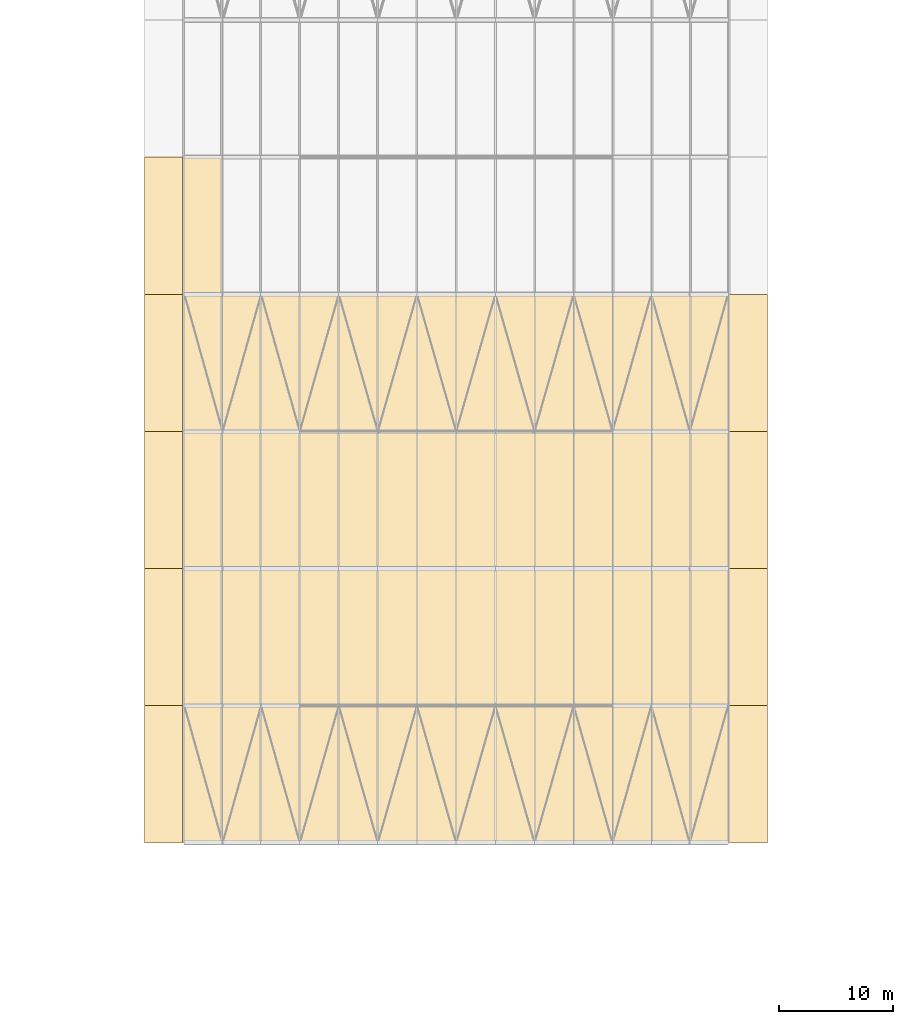
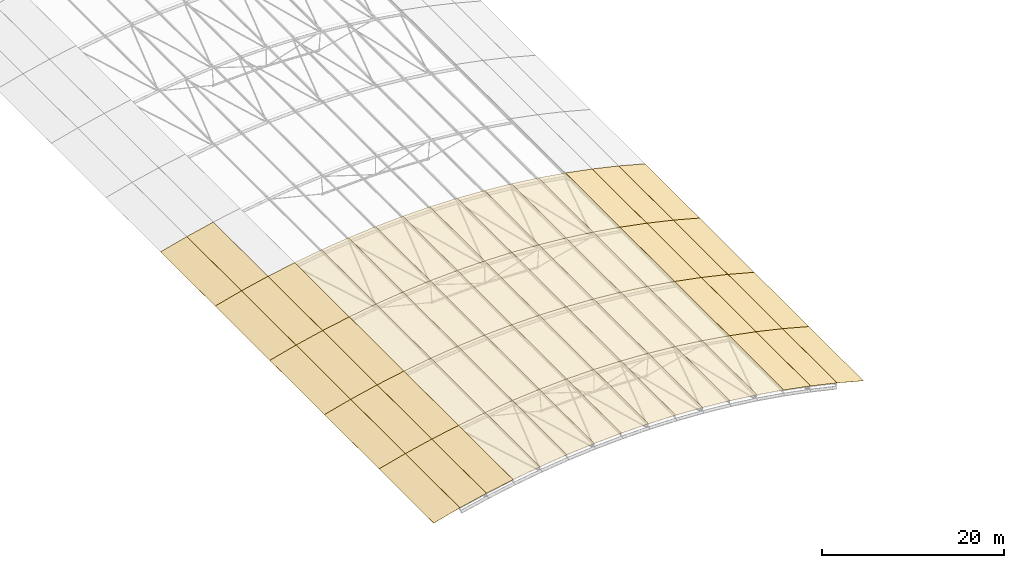
# One storey, part 86 of 91: 66 coverings.
"""IFC4 building model written with IfcOpenShell, lengths in metres."""

from ifc_helpers import new_model, si_unit, direction, frame, origin, place, context, subcontext, project, spatial, polyline, outline, extrude, material, layer, layer_set, type_object, element, save


model = new_model("IFC4")

# Units and contexts
model_context = context("Model", 3, precision=1e-05, world=origin(), true_north=direction((0.0, 1.0)))
body_context = subcontext(model_context, "Body", "Model", "MODEL_VIEW")
ifc_project = project(units=[si_unit("LENGTHUNIT", "METRE"), si_unit("AREAUNIT", "SQUARE_METRE"), si_unit("VOLUMEUNIT", "CUBIC_METRE"), si_unit("PLANEANGLEUNIT", "RADIAN"), si_unit("MASSUNIT", "GRAM", prefix="KILO")], contexts=[model_context])

# Site, building, storey
site_placement = place(None, origin())
site = spatial("IfcSite", under=ifc_project, at=site_placement, CompositionType="ELEMENT")
building_placement = place(site_placement, origin())
building = spatial("IfcBuilding", under=site, at=building_placement, Name="Ravi Spectrum Wholesale Market", CompositionType="ELEMENT")
storey_placement = place(building_placement, frame((0.0, 0.0, 16.199951171875)))
storey = spatial("IfcBuildingStorey", under=building, at=storey_placement, Name="ROOF PLANT LEVEL", CompositionType="ELEMENT", Elevation=16.199951171875)

# Coverings
ifc_material = material(Name="Roofing membrane")
ifc_layer = layer(ifc_material, 0.008056640625)
ifc_layer_set = layer_set([ifc_layer], Name="Roofing membrane")
covering_type = type_object("IfcCoveringType", Name="Roofing membrane 8", PredefinedType="ROOFING", material=ifc_layer_set)
covering_1_placement = place(storey_placement, frame((42.741455078125, 30.0, -0.18408203125), z_axis=(-0.255845834828, 0.0, 0.966717595165), x_axis=(0.966717595165, 0.0, 0.255845834828)))
element("IfcCovering", 1, at=covering_1_placement, inside=storey, type_object=covering_type, Name="H1-CV-ROOF-001", PredefinedType="ROOFING", context=body_context, shape_type="SweptSolid", body=[
    extrude(outline(polyline([(0.0, 0.0), (3.4467472886248953, 0.0), (3.4467472886248953, 12.0), (0.0, 12.0), (0.0, 0.0)])), origin(), (0.0, 0.0, -1.0), 0.008056640625),
])
covering_2_placement = place(storey_placement, frame((46.07763671875, 30.0, 0.698974609375), z_axis=(-0.222349705354, 0.0, 0.974966978174), x_axis=(0.974966978174, 0.0, 0.222349705354)))
element("IfcCovering", 2, at=covering_2_placement, inside=storey, type_object=covering_type, Name="H1-CV-ROOF-002", PredefinedType="ROOFING", context=body_context, shape_type="SweptSolid", body=[
    extrude(outline(polyline([(0.0, 0.0), (3.4466311554413664, 0.0), (3.4466311554413664, 12.0), (0.0, 12.0), (0.0, 0.0)])), origin(), (0.0, 0.0, -1.0), 0.008056640625),
])
covering_3_placement = place(storey_placement, frame((49.4423828125, 30.0, 1.46630859375), z_axis=(-0.188563640263, 0.0, 0.98206097243), x_axis=(0.98206097243, 0.0, 0.188563640263)))
element("IfcCovering", 3, at=covering_3_placement, inside=storey, type_object=covering_type, Name="H1-CV-ROOF-003", PredefinedType="ROOFING", context=body_context, shape_type="SweptSolid", body=[
    extrude(outline(polyline([(0.0, 0.0), (3.446594172889141, 0.0), (3.446594172889141, 12.0), (0.0, 12.0), (0.0, 0.0)])), origin(), (0.0, 0.0, -1.0), 0.008056640625),
])
covering_4_placement = place(storey_placement, frame((52.83154296875, 30.0, 2.116943359375), z_axis=(-0.154638345742, 0.0, 0.987971144329), x_axis=(0.987971144329, 0.0, 0.154638345742)))
element("IfcCovering", 4, at=covering_4_placement, inside=storey, type_object=covering_type, Name="H1-CV-ROOF-004", PredefinedType="ROOFING", context=body_context, shape_type="SweptSolid", body=[
    extrude(outline(polyline([(0.0, 0.0), (3.446486586598458, 0.0), (3.446486586598458, 12.000000000000004), (0.0, 12.000000000000004), (0.0, 0.0)])), origin(), (0.0, 0.0, -1.0), 0.008056640625),
])
covering_5_placement = place(storey_placement, frame((56.240966796875, 30.0, 2.650634765625), z_axis=(-0.120415981986, 0.0, 0.992723522076), x_axis=(0.992723522076, 0.0, 0.120415981986)))
element("IfcCovering", 5, at=covering_5_placement, inside=storey, type_object=covering_type, Name="H1-CV-ROOF-005", PredefinedType="ROOFING", context=body_context, shape_type="SweptSolid", body=[
    extrude(outline(polyline([(0.0, 0.0), (3.446710774235079, 0.0), (3.446710774235079, 12.0), (0.0, 12.0), (0.0, 0.0)])), origin(), (0.0, 0.0, -1.0), 0.008056640625),
])
covering_6_placement = place(storey_placement, frame((59.6669921875, 30.0, 3.066162109375), z_axis=(-0.086134430501, 0.0, 0.996283523844), x_axis=(0.996283523844, 0.0, 0.086134430501)))
element("IfcCovering", 6, at=covering_6_placement, inside=storey, type_object=covering_type, Name="H1-CV-ROOF-006", PredefinedType="ROOFING", context=body_context, shape_type="SweptSolid", body=[
    extrude(outline(polyline([(0.0, 0.0), (3.4466472730346154, 0.0), (3.4466472730346154, 12.000000000000004), (0.0, 12.000000000000004), (0.0, 0.0)])), origin(), (0.0, 0.0, -1.0), 0.008056640625),
])
covering_7_placement = place(storey_placement, frame((63.105224609375, 30.0, 3.36328125), z_axis=(-0.051778101083, 0.0, 0.998658614467), x_axis=(0.998658614467, 0.0, 0.051778101083)))
element("IfcCovering", 7, at=covering_7_placement, inside=storey, type_object=covering_type, Name="H1-CV-ROOF-007", PredefinedType="ROOFING", context=body_context, shape_type="SweptSolid", body=[
    extrude(outline(polyline([(0.0, 0.0), (3.4467621087049527, 0.0), (3.4467621087049527, 11.999999999999998), (0.0, 11.999999999999998), (0.0, 0.0)])), origin(), (0.0, 0.0, -1.0), 0.008056640625),
])
for number, where, z_axis, x_axis, name in (
    (8, (66.5517578125, 30.0, 3.541748046875), (-0.017283992309, 0.0, 0.999850620648), (0.999850620648, 0.0, 0.017283992309), "H1-CV-ROOF-008"),
    (9, (70.002197265625, 30.0, 3.601318359375), (0.017283992309, 0.0, 0.999850620648), (0.999850620648, 0.0, -0.017283992309), "H1-CV-ROOF-009"),
):
    element("IfcCovering", number, at=place(storey_placement, frame(where, z_axis=z_axis, x_axis=x_axis)), inside=storey, type_object=covering_type, Name=name, PredefinedType="ROOFING", context=body_context, shape_type="SweptSolid", body=[
        extrude(outline(polyline([(0.0, 0.0), (3.4465597667401364, 0.0), (3.4465597667401364, 12.0), (0.0, 12.0), (0.0, 0.0)])), origin(), (0.0, 0.0, -1.0), 0.008056640625),
    ])
covering_8_placement = place(storey_placement, frame((73.45263671875, 30.0, 3.541748046875), z_axis=(0.051778101083, 0.0, 0.998658614467), x_axis=(0.998658614467, 0.0, -0.051778101083)))
element("IfcCovering", 10, at=covering_8_placement, inside=storey, type_object=covering_type, Name="H1-CV-ROOF-010", PredefinedType="ROOFING", context=body_context, shape_type="SweptSolid", body=[
    extrude(outline(polyline([(0.0, 0.0), (3.4467621087049527, 0.0), (3.4467621087049527, 11.999999999999998), (0.0, 11.999999999999998), (0.0, 0.0)])), origin(), (0.0, 0.0, -1.0), 0.008056640625),
])
covering_9_placement = place(storey_placement, frame((76.899169921875, 30.0, 3.363037109375), z_axis=(0.086134430501, 0.0, 0.996283523844), x_axis=(0.996283523844, 0.0, -0.086134430501)))
element("IfcCovering", 11, at=covering_9_placement, inside=storey, type_object=covering_type, Name="H1-CV-ROOF-011", PredefinedType="ROOFING", context=body_context, shape_type="SweptSolid", body=[
    extrude(outline(polyline([(0.0, 0.0), (3.4466472730346154, 0.0), (3.4466472730346154, 12.000000000000004), (0.0, 12.000000000000004), (0.0, 0.0)])), origin(), (0.0, 0.0, -1.0), 0.008056640625),
])
covering_10_placement = place(storey_placement, frame((80.33740234375, 30.0, 3.065673828125), z_axis=(0.120415981986, 0.0, 0.992723522076), x_axis=(0.992723522076, 0.0, -0.120415981986)))
element("IfcCovering", 12, at=covering_10_placement, inside=storey, type_object=covering_type, Name="H1-CV-ROOF-012", PredefinedType="ROOFING", context=body_context, shape_type="SweptSolid", body=[
    extrude(outline(polyline([(0.0, 0.0), (3.446710774235079, 0.0), (3.446710774235079, 12.0), (0.0, 12.0), (0.0, 0.0)])), origin(), (0.0, 0.0, -1.0), 0.008056640625),
])
covering_11_placement = place(storey_placement, frame((83.763427734375, 30.0, 2.64990234375), z_axis=(0.154638345742, 0.0, 0.987971144329), x_axis=(0.987971144329, 0.0, -0.154638345742)))
element("IfcCovering", 13, at=covering_11_placement, inside=storey, type_object=covering_type, Name="H1-CV-ROOF-013", PredefinedType="ROOFING", context=body_context, shape_type="SweptSolid", body=[
    extrude(outline(polyline([(0.0, 0.0), (3.446486586598458, 0.0), (3.446486586598458, 12.000000000000004), (0.0, 12.000000000000004), (0.0, 0.0)])), origin(), (0.0, 0.0, -1.0), 0.008056640625),
])
covering_12_placement = place(storey_placement, frame((87.1728515625, 30.0, 2.1162109375), z_axis=(0.188563640263, 0.0, 0.98206097243), x_axis=(0.98206097243, 0.0, -0.188563640263)))
element("IfcCovering", 14, at=covering_12_placement, inside=storey, type_object=covering_type, Name="H1-CV-ROOF-014", PredefinedType="ROOFING", context=body_context, shape_type="SweptSolid", body=[
    extrude(outline(polyline([(0.0, 0.0), (3.446594172889141, 0.0), (3.446594172889141, 12.0), (0.0, 12.0), (0.0, 0.0)])), origin(), (0.0, 0.0, -1.0), 0.008056640625),
])
covering_13_placement = place(storey_placement, frame((90.56201171875, 30.0, 1.46533203125), z_axis=(0.222349705354, 0.0, 0.974966978174), x_axis=(0.974966978174, 0.0, -0.222349705354)))
element("IfcCovering", 15, at=covering_13_placement, inside=storey, type_object=covering_type, Name="H1-CV-ROOF-015", PredefinedType="ROOFING", context=body_context, shape_type="SweptSolid", body=[
    extrude(outline(polyline([(0.0, 0.0), (3.4466311554413664, 0.0), (3.4466311554413664, 12.0), (0.0, 12.0), (0.0, 0.0)])), origin(), (0.0, 0.0, -1.0), 0.008056640625),
])
for number, where, z_axis, x_axis, name in (
    (16, (93.926513671875, 30.0, 0.69775390625), (0.255845834828, 0.0, 0.966717595165), (0.966717595165, 0.0, -0.255845834828), "H1-CV-ROOF-016"),
    (17, (42.741455078125, 42.0, -0.18408203125), (-0.255845834828, 0.0, 0.966717595165), (0.966717595165, 0.0, 0.255845834828), "H1-CV-ROOF-017"),
):
    element("IfcCovering", number, at=place(storey_placement, frame(where, z_axis=z_axis, x_axis=x_axis)), inside=storey, type_object=covering_type, Name=name, PredefinedType="ROOFING", context=body_context, shape_type="SweptSolid", body=[
        extrude(outline(polyline([(0.0, 0.0), (3.4467472886248953, 0.0), (3.4467472886248953, 12.0), (0.0, 12.0), (0.0, 0.0)])), origin(), (0.0, 0.0, -1.0), 0.008056640625),
    ])
covering_14_placement = place(storey_placement, frame((46.07763671875, 42.0, 0.698974609375), z_axis=(-0.222349705354, 0.0, 0.974966978174), x_axis=(0.974966978174, 0.0, 0.222349705354)))
element("IfcCovering", 18, at=covering_14_placement, inside=storey, type_object=covering_type, Name="H1-CV-ROOF-018", PredefinedType="ROOFING", context=body_context, shape_type="SweptSolid", body=[
    extrude(outline(polyline([(0.0, 0.0), (3.4466311554413664, 0.0), (3.4466311554413664, 12.0), (0.0, 12.0), (0.0, 0.0)])), origin(), (0.0, 0.0, -1.0), 0.008056640625),
])
covering_15_placement = place(storey_placement, frame((49.4423828125, 42.0, 1.46630859375), z_axis=(-0.188563640263, 0.0, 0.98206097243), x_axis=(0.98206097243, 0.0, 0.188563640263)))
element("IfcCovering", 19, at=covering_15_placement, inside=storey, type_object=covering_type, Name="H1-CV-ROOF-019", PredefinedType="ROOFING", context=body_context, shape_type="SweptSolid", body=[
    extrude(outline(polyline([(0.0, 0.0), (3.446594172889141, 0.0), (3.446594172889141, 12.0), (0.0, 12.0), (0.0, 0.0)])), origin(), (0.0, 0.0, -1.0), 0.008056640625),
])
covering_16_placement = place(storey_placement, frame((52.83154296875, 42.0, 2.116943359375), z_axis=(-0.154638345742, 0.0, 0.987971144329), x_axis=(0.987971144329, 0.0, 0.154638345742)))
element("IfcCovering", 20, at=covering_16_placement, inside=storey, type_object=covering_type, Name="H1-CV-ROOF-020", PredefinedType="ROOFING", context=body_context, shape_type="SweptSolid", body=[
    extrude(outline(polyline([(0.0, 0.0), (3.446486586598458, 0.0), (3.446486586598458, 12.000000000000004), (0.0, 12.000000000000004), (0.0, 0.0)])), origin(), (0.0, 0.0, -1.0), 0.008056640625),
])
covering_17_placement = place(storey_placement, frame((56.240966796875, 42.0, 2.650634765625), z_axis=(-0.120415981986, 0.0, 0.992723522076), x_axis=(0.992723522076, 0.0, 0.120415981986)))
element("IfcCovering", 21, at=covering_17_placement, inside=storey, type_object=covering_type, Name="H1-CV-ROOF-021", PredefinedType="ROOFING", context=body_context, shape_type="SweptSolid", body=[
    extrude(outline(polyline([(0.0, 0.0), (3.446710774235079, 0.0), (3.446710774235079, 12.0), (0.0, 12.0), (0.0, 0.0)])), origin(), (0.0, 0.0, -1.0), 0.008056640625),
])
covering_18_placement = place(storey_placement, frame((59.6669921875, 42.0, 3.066162109375), z_axis=(-0.086134430501, 0.0, 0.996283523844), x_axis=(0.996283523844, 0.0, 0.086134430501)))
element("IfcCovering", 22, at=covering_18_placement, inside=storey, type_object=covering_type, Name="H1-CV-ROOF-022", PredefinedType="ROOFING", context=body_context, shape_type="SweptSolid", body=[
    extrude(outline(polyline([(0.0, 0.0), (3.4466472730346154, 0.0), (3.4466472730346154, 12.000000000000004), (0.0, 12.000000000000004), (0.0, 0.0)])), origin(), (0.0, 0.0, -1.0), 0.008056640625),
])
covering_19_placement = place(storey_placement, frame((63.105224609375, 42.0, 3.36328125), z_axis=(-0.051778101083, 0.0, 0.998658614467), x_axis=(0.998658614467, 0.0, 0.051778101083)))
element("IfcCovering", 23, at=covering_19_placement, inside=storey, type_object=covering_type, Name="H1-CV-ROOF-023", PredefinedType="ROOFING", context=body_context, shape_type="SweptSolid", body=[
    extrude(outline(polyline([(0.0, 0.0), (3.4467621087049527, 0.0), (3.4467621087049527, 11.999999999999998), (0.0, 11.999999999999998), (0.0, 0.0)])), origin(), (0.0, 0.0, -1.0), 0.008056640625),
])
for number, where, z_axis, x_axis, name in (
    (24, (66.5517578125, 42.0, 3.541748046875), (-0.017283992309, 0.0, 0.999850620648), (0.999850620648, 0.0, 0.017283992309), "H1-CV-ROOF-024"),
    (25, (70.002197265625, 42.0, 3.601318359375), (0.017283992309, 0.0, 0.999850620648), (0.999850620648, 0.0, -0.017283992309), "H1-CV-ROOF-025"),
):
    element("IfcCovering", number, at=place(storey_placement, frame(where, z_axis=z_axis, x_axis=x_axis)), inside=storey, type_object=covering_type, Name=name, PredefinedType="ROOFING", context=body_context, shape_type="SweptSolid", body=[
        extrude(outline(polyline([(0.0, 0.0), (3.4465597667401364, 0.0), (3.4465597667401364, 12.0), (0.0, 12.0), (0.0, 0.0)])), origin(), (0.0, 0.0, -1.0), 0.008056640625),
    ])
covering_20_placement = place(storey_placement, frame((73.45263671875, 42.0, 3.541748046875), z_axis=(0.051778101083, 0.0, 0.998658614467), x_axis=(0.998658614467, 0.0, -0.051778101083)))
element("IfcCovering", 26, at=covering_20_placement, inside=storey, type_object=covering_type, Name="H1-CV-ROOF-026", PredefinedType="ROOFING", context=body_context, shape_type="SweptSolid", body=[
    extrude(outline(polyline([(0.0, 0.0), (3.4467621087049527, 0.0), (3.4467621087049527, 11.999999999999998), (0.0, 11.999999999999998), (0.0, 0.0)])), origin(), (0.0, 0.0, -1.0), 0.008056640625),
])
covering_21_placement = place(storey_placement, frame((76.899169921875, 42.0, 3.363037109375), z_axis=(0.086134430501, 0.0, 0.996283523844), x_axis=(0.996283523844, 0.0, -0.086134430501)))
element("IfcCovering", 27, at=covering_21_placement, inside=storey, type_object=covering_type, Name="H1-CV-ROOF-027", PredefinedType="ROOFING", context=body_context, shape_type="SweptSolid", body=[
    extrude(outline(polyline([(0.0, 0.0), (3.4466472730346154, 0.0), (3.4466472730346154, 12.000000000000004), (0.0, 12.000000000000004), (0.0, 0.0)])), origin(), (0.0, 0.0, -1.0), 0.008056640625),
])
covering_22_placement = place(storey_placement, frame((80.33740234375, 42.0, 3.065673828125), z_axis=(0.120415981986, 0.0, 0.992723522076), x_axis=(0.992723522076, 0.0, -0.120415981986)))
element("IfcCovering", 28, at=covering_22_placement, inside=storey, type_object=covering_type, Name="H1-CV-ROOF-028", PredefinedType="ROOFING", context=body_context, shape_type="SweptSolid", body=[
    extrude(outline(polyline([(0.0, 0.0), (3.446710774235079, 0.0), (3.446710774235079, 12.0), (0.0, 12.0), (0.0, 0.0)])), origin(), (0.0, 0.0, -1.0), 0.008056640625),
])
covering_23_placement = place(storey_placement, frame((83.763427734375, 42.0, 2.64990234375), z_axis=(0.154638345742, 0.0, 0.987971144329), x_axis=(0.987971144329, 0.0, -0.154638345742)))
element("IfcCovering", 29, at=covering_23_placement, inside=storey, type_object=covering_type, Name="H1-CV-ROOF-029", PredefinedType="ROOFING", context=body_context, shape_type="SweptSolid", body=[
    extrude(outline(polyline([(0.0, 0.0), (3.446486586598458, 0.0), (3.446486586598458, 12.000000000000004), (0.0, 12.000000000000004), (0.0, 0.0)])), origin(), (0.0, 0.0, -1.0), 0.008056640625),
])
covering_24_placement = place(storey_placement, frame((87.1728515625, 42.0, 2.1162109375), z_axis=(0.188563640263, 0.0, 0.98206097243), x_axis=(0.98206097243, 0.0, -0.188563640263)))
element("IfcCovering", 30, at=covering_24_placement, inside=storey, type_object=covering_type, Name="H1-CV-ROOF-030", PredefinedType="ROOFING", context=body_context, shape_type="SweptSolid", body=[
    extrude(outline(polyline([(0.0, 0.0), (3.446594172889141, 0.0), (3.446594172889141, 12.0), (0.0, 12.0), (0.0, 0.0)])), origin(), (0.0, 0.0, -1.0), 0.008056640625),
])
covering_25_placement = place(storey_placement, frame((90.56201171875, 42.0, 1.46533203125), z_axis=(0.222349705354, 0.0, 0.974966978174), x_axis=(0.974966978174, 0.0, -0.222349705354)))
element("IfcCovering", 31, at=covering_25_placement, inside=storey, type_object=covering_type, Name="H1-CV-ROOF-031", PredefinedType="ROOFING", context=body_context, shape_type="SweptSolid", body=[
    extrude(outline(polyline([(0.0, 0.0), (3.4466311554413664, 0.0), (3.4466311554413664, 12.0), (0.0, 12.0), (0.0, 0.0)])), origin(), (0.0, 0.0, -1.0), 0.008056640625),
])
for number, where, z_axis, x_axis, name in (
    (32, (93.926513671875, 42.0, 0.69775390625), (0.255845834828, 0.0, 0.966717595165), (0.966717595165, 0.0, -0.255845834828), "H1-CV-ROOF-032"),
    (33, (42.741455078125, 54.0, -0.18408203125), (-0.255845834828, 0.0, 0.966717595165), (0.966717595165, 0.0, 0.255845834828), "H1-CV-ROOF-033"),
):
    element("IfcCovering", number, at=place(storey_placement, frame(where, z_axis=z_axis, x_axis=x_axis)), inside=storey, type_object=covering_type, Name=name, PredefinedType="ROOFING", context=body_context, shape_type="SweptSolid", body=[
        extrude(outline(polyline([(0.0, 0.0), (3.4467472886248953, 0.0), (3.4467472886248953, 12.0), (0.0, 12.0), (0.0, 0.0)])), origin(), (0.0, 0.0, -1.0), 0.008056640625),
    ])
covering_26_placement = place(storey_placement, frame((46.07763671875, 54.0, 0.698974609375), z_axis=(-0.222349705354, 0.0, 0.974966978174), x_axis=(0.974966978174, 0.0, 0.222349705354)))
element("IfcCovering", 34, at=covering_26_placement, inside=storey, type_object=covering_type, Name="H1-CV-ROOF-034", PredefinedType="ROOFING", context=body_context, shape_type="SweptSolid", body=[
    extrude(outline(polyline([(0.0, 0.0), (3.4466311554413664, 0.0), (3.4466311554413664, 12.0), (0.0, 12.0), (0.0, 0.0)])), origin(), (0.0, 0.0, -1.0), 0.008056640625),
])
covering_27_placement = place(storey_placement, frame((49.4423828125, 54.0, 1.46630859375), z_axis=(-0.188563640263, 0.0, 0.98206097243), x_axis=(0.98206097243, 0.0, 0.188563640263)))
element("IfcCovering", 35, at=covering_27_placement, inside=storey, type_object=covering_type, Name="H1-CV-ROOF-035", PredefinedType="ROOFING", context=body_context, shape_type="SweptSolid", body=[
    extrude(outline(polyline([(0.0, 0.0), (3.446594172889141, 0.0), (3.446594172889141, 12.0), (0.0, 12.0), (0.0, 0.0)])), origin(), (0.0, 0.0, -1.0), 0.008056640625),
])
covering_28_placement = place(storey_placement, frame((52.83154296875, 54.0, 2.116943359375), z_axis=(-0.154638345742, 0.0, 0.987971144329), x_axis=(0.987971144329, 0.0, 0.154638345742)))
element("IfcCovering", 36, at=covering_28_placement, inside=storey, type_object=covering_type, Name="H1-CV-ROOF-036", PredefinedType="ROOFING", context=body_context, shape_type="SweptSolid", body=[
    extrude(outline(polyline([(0.0, 0.0), (3.446486586598458, 0.0), (3.446486586598458, 12.000000000000004), (0.0, 12.000000000000004), (0.0, 0.0)])), origin(), (0.0, 0.0, -1.0), 0.008056640625),
])
covering_29_placement = place(storey_placement, frame((56.240966796875, 54.0, 2.650634765625), z_axis=(-0.120415981986, 0.0, 0.992723522076), x_axis=(0.992723522076, 0.0, 0.120415981986)))
element("IfcCovering", 37, at=covering_29_placement, inside=storey, type_object=covering_type, Name="H1-CV-ROOF-037", PredefinedType="ROOFING", context=body_context, shape_type="SweptSolid", body=[
    extrude(outline(polyline([(0.0, 0.0), (3.446710774235079, 0.0), (3.446710774235079, 12.0), (0.0, 12.0), (0.0, 0.0)])), origin(), (0.0, 0.0, -1.0), 0.008056640625),
])
covering_30_placement = place(storey_placement, frame((59.6669921875, 54.0, 3.066162109375), z_axis=(-0.086134430501, 0.0, 0.996283523844), x_axis=(0.996283523844, 0.0, 0.086134430501)))
element("IfcCovering", 38, at=covering_30_placement, inside=storey, type_object=covering_type, Name="H1-CV-ROOF-038", PredefinedType="ROOFING", context=body_context, shape_type="SweptSolid", body=[
    extrude(outline(polyline([(0.0, 0.0), (3.4466472730346154, 0.0), (3.4466472730346154, 12.000000000000004), (0.0, 12.000000000000004), (0.0, 0.0)])), origin(), (0.0, 0.0, -1.0), 0.008056640625),
])
covering_31_placement = place(storey_placement, frame((63.105224609375, 54.0, 3.36328125), z_axis=(-0.051778101083, 0.0, 0.998658614467), x_axis=(0.998658614467, 0.0, 0.051778101083)))
element("IfcCovering", 39, at=covering_31_placement, inside=storey, type_object=covering_type, Name="H1-CV-ROOF-039", PredefinedType="ROOFING", context=body_context, shape_type="SweptSolid", body=[
    extrude(outline(polyline([(0.0, 0.0), (3.4467621087049527, 0.0), (3.4467621087049527, 11.999999999999998), (0.0, 11.999999999999998), (0.0, 0.0)])), origin(), (0.0, 0.0, -1.0), 0.008056640625),
])
for number, where, z_axis, x_axis, name in (
    (40, (66.5517578125, 54.0, 3.541748046875), (-0.017283992309, 0.0, 0.999850620648), (0.999850620648, 0.0, 0.017283992309), "H1-CV-ROOF-040"),
    (41, (70.002197265625, 54.0, 3.601318359375), (0.017283992309, 0.0, 0.999850620648), (0.999850620648, 0.0, -0.017283992309), "H1-CV-ROOF-041"),
):
    element("IfcCovering", number, at=place(storey_placement, frame(where, z_axis=z_axis, x_axis=x_axis)), inside=storey, type_object=covering_type, Name=name, PredefinedType="ROOFING", context=body_context, shape_type="SweptSolid", body=[
        extrude(outline(polyline([(0.0, 0.0), (3.4465597667401364, 0.0), (3.4465597667401364, 12.0), (0.0, 12.0), (0.0, 0.0)])), origin(), (0.0, 0.0, -1.0), 0.008056640625),
    ])
covering_32_placement = place(storey_placement, frame((73.45263671875, 54.0, 3.541748046875), z_axis=(0.051778101083, 0.0, 0.998658614467), x_axis=(0.998658614467, 0.0, -0.051778101083)))
element("IfcCovering", 42, at=covering_32_placement, inside=storey, type_object=covering_type, Name="H1-CV-ROOF-042", PredefinedType="ROOFING", context=body_context, shape_type="SweptSolid", body=[
    extrude(outline(polyline([(0.0, 0.0), (3.4467621087049527, 0.0), (3.4467621087049527, 11.999999999999998), (0.0, 11.999999999999998), (0.0, 0.0)])), origin(), (0.0, 0.0, -1.0), 0.008056640625),
])
covering_33_placement = place(storey_placement, frame((76.899169921875, 54.0, 3.363037109375), z_axis=(0.086134430501, 0.0, 0.996283523844), x_axis=(0.996283523844, 0.0, -0.086134430501)))
element("IfcCovering", 43, at=covering_33_placement, inside=storey, type_object=covering_type, Name="H1-CV-ROOF-043", PredefinedType="ROOFING", context=body_context, shape_type="SweptSolid", body=[
    extrude(outline(polyline([(0.0, 0.0), (3.4466472730346154, 0.0), (3.4466472730346154, 12.000000000000004), (0.0, 12.000000000000004), (0.0, 0.0)])), origin(), (0.0, 0.0, -1.0), 0.008056640625),
])
covering_34_placement = place(storey_placement, frame((80.33740234375, 54.0, 3.065673828125), z_axis=(0.120415981986, 0.0, 0.992723522076), x_axis=(0.992723522076, 0.0, -0.120415981986)))
element("IfcCovering", 44, at=covering_34_placement, inside=storey, type_object=covering_type, Name="H1-CV-ROOF-044", PredefinedType="ROOFING", context=body_context, shape_type="SweptSolid", body=[
    extrude(outline(polyline([(0.0, 0.0), (3.446710774235079, 0.0), (3.446710774235079, 12.0), (0.0, 12.0), (0.0, 0.0)])), origin(), (0.0, 0.0, -1.0), 0.008056640625),
])
covering_35_placement = place(storey_placement, frame((83.763427734375, 54.0, 2.64990234375), z_axis=(0.154638345742, 0.0, 0.987971144329), x_axis=(0.987971144329, 0.0, -0.154638345742)))
element("IfcCovering", 45, at=covering_35_placement, inside=storey, type_object=covering_type, Name="H1-CV-ROOF-045", PredefinedType="ROOFING", context=body_context, shape_type="SweptSolid", body=[
    extrude(outline(polyline([(0.0, 0.0), (3.446486586598458, 0.0), (3.446486586598458, 12.000000000000004), (0.0, 12.000000000000004), (0.0, 0.0)])), origin(), (0.0, 0.0, -1.0), 0.008056640625),
])
covering_36_placement = place(storey_placement, frame((87.1728515625, 54.0, 2.1162109375), z_axis=(0.188563640263, 0.0, 0.98206097243), x_axis=(0.98206097243, 0.0, -0.188563640263)))
element("IfcCovering", 46, at=covering_36_placement, inside=storey, type_object=covering_type, Name="H1-CV-ROOF-046", PredefinedType="ROOFING", context=body_context, shape_type="SweptSolid", body=[
    extrude(outline(polyline([(0.0, 0.0), (3.446594172889141, 0.0), (3.446594172889141, 12.0), (0.0, 12.0), (0.0, 0.0)])), origin(), (0.0, 0.0, -1.0), 0.008056640625),
])
covering_37_placement = place(storey_placement, frame((90.56201171875, 54.0, 1.46533203125), z_axis=(0.222349705354, 0.0, 0.974966978174), x_axis=(0.974966978174, 0.0, -0.222349705354)))
element("IfcCovering", 47, at=covering_37_placement, inside=storey, type_object=covering_type, Name="H1-CV-ROOF-047", PredefinedType="ROOFING", context=body_context, shape_type="SweptSolid", body=[
    extrude(outline(polyline([(0.0, 0.0), (3.4466311554413664, 0.0), (3.4466311554413664, 12.0), (0.0, 12.0), (0.0, 0.0)])), origin(), (0.0, 0.0, -1.0), 0.008056640625),
])
for number, where, z_axis, x_axis, name in (
    (48, (93.926513671875, 54.0, 0.69775390625), (0.255845834828, 0.0, 0.966717595165), (0.966717595165, 0.0, -0.255845834828), "H1-CV-ROOF-048"),
    (49, (42.741455078125, 66.0, -0.18408203125), (-0.255845834828, 0.0, 0.966717595165), (0.966717595165, 0.0, 0.255845834828), "H1-CV-ROOF-049"),
):
    element("IfcCovering", number, at=place(storey_placement, frame(where, z_axis=z_axis, x_axis=x_axis)), inside=storey, type_object=covering_type, Name=name, PredefinedType="ROOFING", context=body_context, shape_type="SweptSolid", body=[
        extrude(outline(polyline([(0.0, 0.0), (3.4467472886248953, 0.0), (3.4467472886248953, 12.0), (0.0, 12.0), (0.0, 0.0)])), origin(), (0.0, 0.0, -1.0), 0.008056640625),
    ])
covering_38_placement = place(storey_placement, frame((46.07763671875, 66.0, 0.698974609375), z_axis=(-0.222349705354, 0.0, 0.974966978174), x_axis=(0.974966978174, 0.0, 0.222349705354)))
element("IfcCovering", 50, at=covering_38_placement, inside=storey, type_object=covering_type, Name="H1-CV-ROOF-050", PredefinedType="ROOFING", context=body_context, shape_type="SweptSolid", body=[
    extrude(outline(polyline([(0.0, 0.0), (3.4466311554413664, 0.0), (3.4466311554413664, 12.0), (0.0, 12.0), (0.0, 0.0)])), origin(), (0.0, 0.0, -1.0), 0.008056640625),
])
covering_39_placement = place(storey_placement, frame((49.4423828125, 66.0, 1.46630859375), z_axis=(-0.188563640263, 0.0, 0.98206097243), x_axis=(0.98206097243, 0.0, 0.188563640263)))
element("IfcCovering", 51, at=covering_39_placement, inside=storey, type_object=covering_type, Name="H1-CV-ROOF-051", PredefinedType="ROOFING", context=body_context, shape_type="SweptSolid", body=[
    extrude(outline(polyline([(0.0, 0.0), (3.446594172889141, 0.0), (3.446594172889141, 12.0), (0.0, 12.0), (0.0, 0.0)])), origin(), (0.0, 0.0, -1.0), 0.008056640625),
])
covering_40_placement = place(storey_placement, frame((52.83154296875, 66.0, 2.116943359375), z_axis=(-0.154638345742, 0.0, 0.987971144329), x_axis=(0.987971144329, 0.0, 0.154638345742)))
element("IfcCovering", 52, at=covering_40_placement, inside=storey, type_object=covering_type, Name="H1-CV-ROOF-052", PredefinedType="ROOFING", context=body_context, shape_type="SweptSolid", body=[
    extrude(outline(polyline([(0.0, 0.0), (3.446486586598458, 0.0), (3.446486586598458, 12.000000000000004), (0.0, 12.000000000000004), (0.0, 0.0)])), origin(), (0.0, 0.0, -1.0), 0.008056640625),
])
covering_41_placement = place(storey_placement, frame((56.240966796875, 66.0, 2.650634765625), z_axis=(-0.120415981986, 0.0, 0.992723522076), x_axis=(0.992723522076, 0.0, 0.120415981986)))
element("IfcCovering", 53, at=covering_41_placement, inside=storey, type_object=covering_type, Name="H1-CV-ROOF-053", PredefinedType="ROOFING", context=body_context, shape_type="SweptSolid", body=[
    extrude(outline(polyline([(0.0, 0.0), (3.446710774235079, 0.0), (3.446710774235079, 12.0), (0.0, 12.0), (0.0, 0.0)])), origin(), (0.0, 0.0, -1.0), 0.008056640625),
])
covering_42_placement = place(storey_placement, frame((59.6669921875, 66.0, 3.066162109375), z_axis=(-0.086134430501, 0.0, 0.996283523844), x_axis=(0.996283523844, 0.0, 0.086134430501)))
element("IfcCovering", 54, at=covering_42_placement, inside=storey, type_object=covering_type, Name="H1-CV-ROOF-054", PredefinedType="ROOFING", context=body_context, shape_type="SweptSolid", body=[
    extrude(outline(polyline([(0.0, 0.0), (3.4466472730346154, 0.0), (3.4466472730346154, 12.000000000000004), (0.0, 12.000000000000004), (0.0, 0.0)])), origin(), (0.0, 0.0, -1.0), 0.008056640625),
])
covering_43_placement = place(storey_placement, frame((63.105224609375, 66.0, 3.36328125), z_axis=(-0.051778101083, 0.0, 0.998658614467), x_axis=(0.998658614467, 0.0, 0.051778101083)))
element("IfcCovering", 55, at=covering_43_placement, inside=storey, type_object=covering_type, Name="H1-CV-ROOF-055", PredefinedType="ROOFING", context=body_context, shape_type="SweptSolid", body=[
    extrude(outline(polyline([(0.0, 0.0), (3.4467621087049527, 0.0), (3.4467621087049527, 11.999999999999998), (0.0, 11.999999999999998), (0.0, 0.0)])), origin(), (0.0, 0.0, -1.0), 0.008056640625),
])
for number, where, z_axis, x_axis, name in (
    (56, (66.5517578125, 66.0, 3.541748046875), (-0.017283992309, 0.0, 0.999850620648), (0.999850620648, 0.0, 0.017283992309), "H1-CV-ROOF-056"),
    (57, (70.002197265625, 66.0, 3.601318359375), (0.017283992309, 0.0, 0.999850620648), (0.999850620648, 0.0, -0.017283992309), "H1-CV-ROOF-057"),
):
    element("IfcCovering", number, at=place(storey_placement, frame(where, z_axis=z_axis, x_axis=x_axis)), inside=storey, type_object=covering_type, Name=name, PredefinedType="ROOFING", context=body_context, shape_type="SweptSolid", body=[
        extrude(outline(polyline([(0.0, 0.0), (3.4465597667401364, 0.0), (3.4465597667401364, 12.0), (0.0, 12.0), (0.0, 0.0)])), origin(), (0.0, 0.0, -1.0), 0.008056640625),
    ])
covering_44_placement = place(storey_placement, frame((73.45263671875, 66.0, 3.541748046875), z_axis=(0.051778101083, 0.0, 0.998658614467), x_axis=(0.998658614467, 0.0, -0.051778101083)))
element("IfcCovering", 58, at=covering_44_placement, inside=storey, type_object=covering_type, Name="H1-CV-ROOF-058", PredefinedType="ROOFING", context=body_context, shape_type="SweptSolid", body=[
    extrude(outline(polyline([(0.0, 0.0), (3.4467621087049527, 0.0), (3.4467621087049527, 11.999999999999998), (0.0, 11.999999999999998), (0.0, 0.0)])), origin(), (0.0, 0.0, -1.0), 0.008056640625),
])
covering_45_placement = place(storey_placement, frame((76.899169921875, 66.0, 3.363037109375), z_axis=(0.086134430501, 0.0, 0.996283523844), x_axis=(0.996283523844, 0.0, -0.086134430501)))
element("IfcCovering", 59, at=covering_45_placement, inside=storey, type_object=covering_type, Name="H1-CV-ROOF-059", PredefinedType="ROOFING", context=body_context, shape_type="SweptSolid", body=[
    extrude(outline(polyline([(0.0, 0.0), (3.4466472730346154, 0.0), (3.4466472730346154, 12.000000000000004), (0.0, 12.000000000000004), (0.0, 0.0)])), origin(), (0.0, 0.0, -1.0), 0.008056640625),
])
covering_46_placement = place(storey_placement, frame((80.33740234375, 66.0, 3.065673828125), z_axis=(0.120415981986, 0.0, 0.992723522076), x_axis=(0.992723522076, 0.0, -0.120415981986)))
element("IfcCovering", 60, at=covering_46_placement, inside=storey, type_object=covering_type, Name="H1-CV-ROOF-060", PredefinedType="ROOFING", context=body_context, shape_type="SweptSolid", body=[
    extrude(outline(polyline([(0.0, 0.0), (3.446710774235079, 0.0), (3.446710774235079, 12.0), (0.0, 12.0), (0.0, 0.0)])), origin(), (0.0, 0.0, -1.0), 0.008056640625),
])
covering_47_placement = place(storey_placement, frame((83.763427734375, 66.0, 2.64990234375), z_axis=(0.154638345742, 0.0, 0.987971144329), x_axis=(0.987971144329, 0.0, -0.154638345742)))
element("IfcCovering", 61, at=covering_47_placement, inside=storey, type_object=covering_type, Name="H1-CV-ROOF-061", PredefinedType="ROOFING", context=body_context, shape_type="SweptSolid", body=[
    extrude(outline(polyline([(0.0, 0.0), (3.446486586598458, 0.0), (3.446486586598458, 12.000000000000004), (0.0, 12.000000000000004), (0.0, 0.0)])), origin(), (0.0, 0.0, -1.0), 0.008056640625),
])
covering_48_placement = place(storey_placement, frame((87.1728515625, 66.0, 2.1162109375), z_axis=(0.188563640263, 0.0, 0.98206097243), x_axis=(0.98206097243, 0.0, -0.188563640263)))
element("IfcCovering", 62, at=covering_48_placement, inside=storey, type_object=covering_type, Name="H1-CV-ROOF-062", PredefinedType="ROOFING", context=body_context, shape_type="SweptSolid", body=[
    extrude(outline(polyline([(0.0, 0.0), (3.446594172889141, 0.0), (3.446594172889141, 12.0), (0.0, 12.0), (0.0, 0.0)])), origin(), (0.0, 0.0, -1.0), 0.008056640625),
])
covering_49_placement = place(storey_placement, frame((90.56201171875, 66.0, 1.46533203125), z_axis=(0.222349705354, 0.0, 0.974966978174), x_axis=(0.974966978174, 0.0, -0.222349705354)))
element("IfcCovering", 63, at=covering_49_placement, inside=storey, type_object=covering_type, Name="H1-CV-ROOF-063", PredefinedType="ROOFING", context=body_context, shape_type="SweptSolid", body=[
    extrude(outline(polyline([(0.0, 0.0), (3.4466311554413664, 0.0), (3.4466311554413664, 12.0), (0.0, 12.0), (0.0, 0.0)])), origin(), (0.0, 0.0, -1.0), 0.008056640625),
])
for number, where, z_axis, x_axis, name in (
    (64, (93.926513671875, 66.0, 0.69775390625), (0.255845834828, 0.0, 0.966717595165), (0.966717595165, 0.0, -0.255845834828), "H1-CV-ROOF-064"),
    (65, (42.741455078125, 78.0, -0.18408203125), (-0.255845834828, 0.0, 0.966717595165), (0.966717595165, 0.0, 0.255845834828), "H1-CV-ROOF-065"),
):
    element("IfcCovering", number, at=place(storey_placement, frame(where, z_axis=z_axis, x_axis=x_axis)), inside=storey, type_object=covering_type, Name=name, PredefinedType="ROOFING", context=body_context, shape_type="SweptSolid", body=[
        extrude(outline(polyline([(0.0, 0.0), (3.4467472886248953, 0.0), (3.4467472886248953, 12.0), (0.0, 12.0), (0.0, 0.0)])), origin(), (0.0, 0.0, -1.0), 0.008056640625),
    ])
covering_50_placement = place(storey_placement, frame((46.07763671875, 78.0, 0.698974609375), z_axis=(-0.222349705354, 0.0, 0.974966978174), x_axis=(0.974966978174, 0.0, 0.222349705354)))
element("IfcCovering", 66, at=covering_50_placement, inside=storey, type_object=covering_type, Name="H1-CV-ROOF-066", PredefinedType="ROOFING", context=body_context, shape_type="SweptSolid", body=[
    extrude(outline(polyline([(0.0, 0.0), (3.4466311554413664, 0.0), (3.4466311554413664, 12.0), (0.0, 12.0), (0.0, 0.0)])), origin(), (0.0, 0.0, -1.0), 0.008056640625),
])

save(model, "model.ifc")
